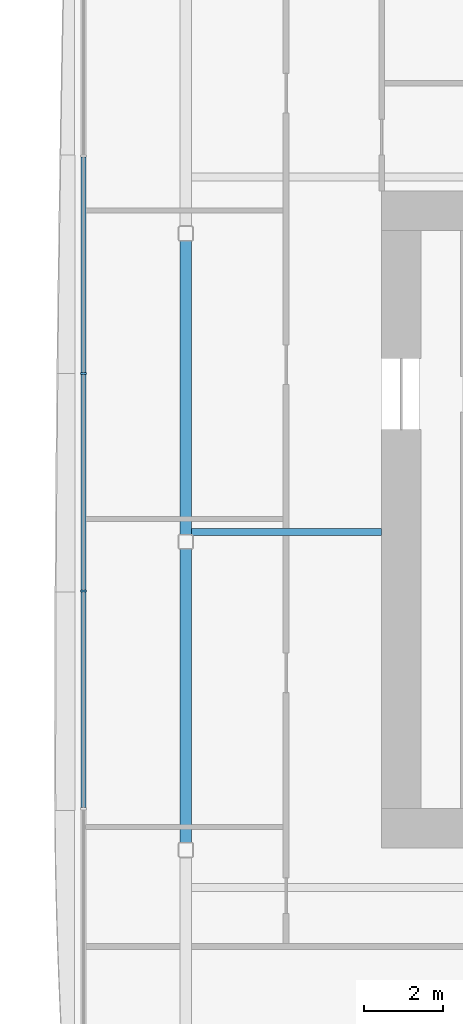
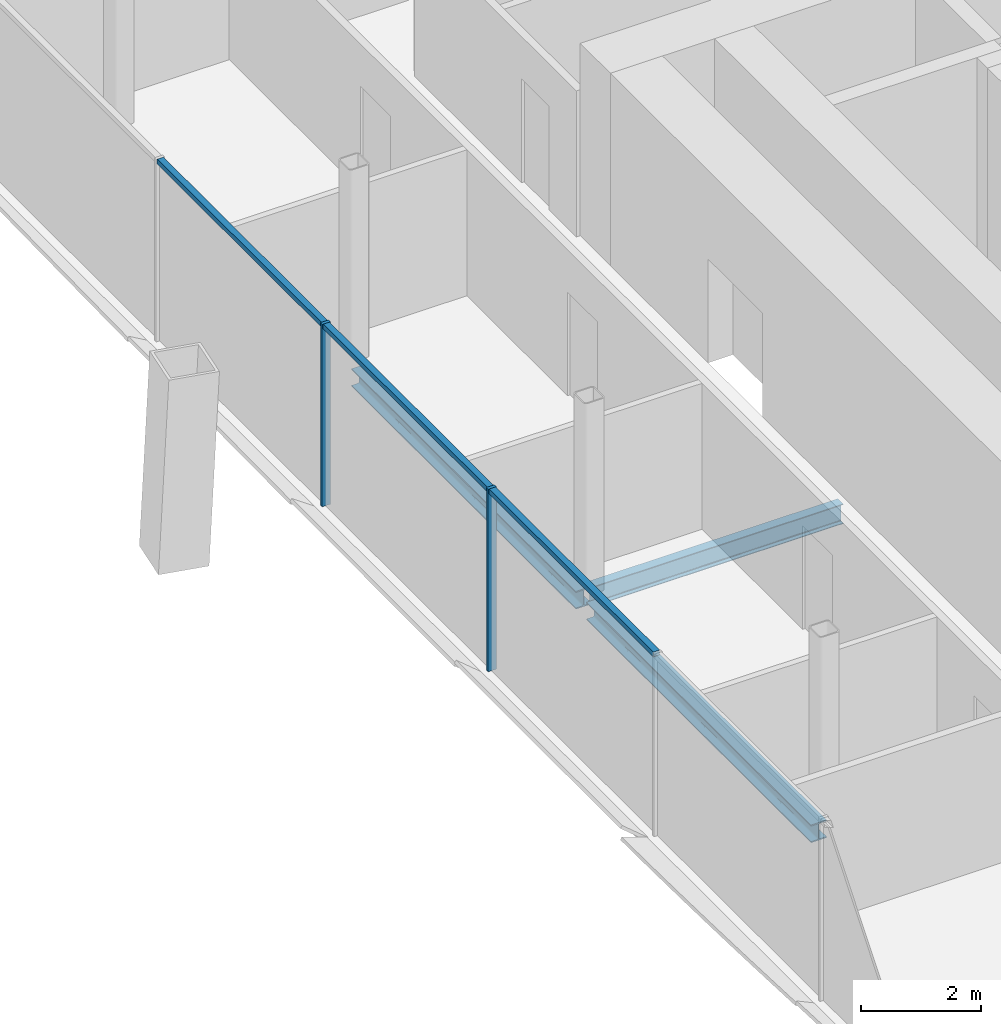
# One storey, part 5 of 20: 5 members, 3 beams, 1 element without a shape of its own.
"""IFC4 building model written with IfcOpenShell, lengths in metres."""

from ifc_helpers import new_model, si_unit, direction, frame, origin, origin_2d, place, context, subcontext, project, spatial, rectangle, i_section, extrude, material, material_profile, profile_set, type_object, element, aggregate, save


model = new_model("IFC4")

# Units and contexts
model_context = context("Model", 3, precision=1e-05, world=origin(), true_north=direction((0.0, 1.0)))
body_context = subcontext(model_context, "Body", "Model", "MODEL_VIEW")
ifc_project = project(units=[si_unit("LENGTHUNIT", "METRE"), si_unit("AREAUNIT", "SQUARE_METRE"), si_unit("VOLUMEUNIT", "CUBIC_METRE"), si_unit("PLANEANGLEUNIT", "RADIAN"), si_unit("MASSUNIT", "GRAM", prefix="KILO")], contexts=[model_context])

# Site, building, storey
site_placement = place(None, origin())
site = spatial("IfcSite", under=ifc_project, at=site_placement, CompositionType="ELEMENT")
building_placement = place(site_placement, origin())
building = spatial("IfcBuilding", under=site, at=building_placement, Name="Tskaro Facet Tower", CompositionType="ELEMENT")
storey_placement = place(building_placement, frame((0.0, 0.0, 66.0)))
storey = spatial("IfcBuildingStorey", under=building, at=storey_placement, Name="L15", CompositionType="ELEMENT", Elevation=66.0)

# Curtain wall, members
ifc_material_1 = material(Name="Bronze anodised aluminium 6063-T6", Category="aluminium")
curtain_wall_type = type_object("IfcCurtainWallType", Name="Bronze office curtain wall (FW1)", PredefinedType="NOTDEFINED", material=ifc_material_1)
curtain_wall_placement = place(storey_placement, origin())
curtain_wall = element("IfcCurtainWall", 1, at=curtain_wall_placement, inside=storey, type_object=curtain_wall_type, Name="FW1 west facet L15", PredefinedType="NOTDEFINED")
ifc_material_profile_1 = material_profile(ifc_material_1, rectangle(XDim=0.06005859375, YDim=0.159912109375, at=origin_2d()), Name="Mullion 60x160")
ifc_profile_set_1 = profile_set([ifc_material_profile_1], Name="Bronze anodised aluminium 6063-T6")
member_type_1 = type_object("IfcMemberType", Name="FW1 bronze mullion 60x160", PredefinedType="MULLION", material=ifc_profile_set_1)
member_1_placement = place(storey_placement, frame((-22.55908203125, -0.478515625, 0.0), z_axis=(0.0, 0.0, 1.0), x_axis=(0.0, -1.0, 0.0)))
member_1 = element("IfcMember", 2, at=member_1_placement, type_object=member_type_1, Name="FW1 west mullion 4", PredefinedType="MULLION", context=body_context, shape_type="SweptSolid", body=[
    extrude(rectangle(XDim=0.06005859375, YDim=0.159912109375, at=origin_2d()), origin(), (0.0, 0.0, 1.0), 3.699951171875),
])
member_2_placement = place(storey_placement, frame((-22.55908203125, -5.99169921875, 0.0), z_axis=(0.0, 0.0, 1.0), x_axis=(0.0, -1.0, 0.0)))
member_2 = element("IfcMember", 3, at=member_2_placement, type_object=member_type_1, Name="FW1 west mullion 5", PredefinedType="MULLION", context=body_context, shape_type="SweptSolid", body=[
    extrude(rectangle(XDim=0.06005859375, YDim=0.159912109375, at=origin_2d()), origin(), (0.0, 0.0, 1.0), 3.699951171875),
])
ifc_material_profile_2 = material_profile(ifc_material_1, rectangle(XDim=0.1201171875, YDim=0.10009765625, at=origin_2d()), Name="Transom 120x100")
ifc_profile_set_2 = profile_set([ifc_material_profile_2], Name="Bronze anodised aluminium 6063-T6")
member_type_2 = type_object("IfcMemberType", Name="FW1 bronze transom 120x100", PredefinedType="USERDEFINED", material=ifc_profile_set_2)
member_3_placement = place(storey_placement, frame((-22.55908203125, 5.004638671875, 3.64990234375), z_axis=(0.0, -1.0, 0.0), x_axis=(1.0, 0.0, 0.0)))
member_3 = element("IfcMember", 4, at=member_3_placement, type_object=member_type_2, Name="FW1 west transom 4.1", ObjectType="TRANSOM", PredefinedType="USERDEFINED", context=body_context, shape_type="SweptSolid", body=[
    extrude(rectangle(XDim=0.1201171875, YDim=0.10009765625, at=origin_2d()), origin(), (0.0, 0.0, 1.0), 5.453125),
])
member_4_placement = place(storey_placement, frame((-22.55908203125, -0.508544921875, 3.64990234375), z_axis=(0.0, -1.0, 0.0), x_axis=(1.0, 0.0, 0.0)))
member_4 = element("IfcMember", 5, at=member_4_placement, type_object=member_type_2, Name="FW1 west transom 5.1", ObjectType="TRANSOM", PredefinedType="USERDEFINED", context=body_context, shape_type="SweptSolid", body=[
    extrude(rectangle(XDim=0.1201171875, YDim=0.10009765625, at=origin_2d()), origin(), (0.0, 0.0, 1.0), 5.453125),
])
member_5_placement = place(storey_placement, frame((-22.55908203125, -6.021728515625, 3.64990234375), z_axis=(0.0, -1.0, 0.0), x_axis=(1.0, 0.0, 0.0)))
member_5 = element("IfcMember", 6, at=member_5_placement, type_object=member_type_2, Name="FW1 west transom 6.1", ObjectType="TRANSOM", PredefinedType="USERDEFINED", context=body_context, shape_type="SweptSolid", body=[
    extrude(rectangle(XDim=0.1201171875, YDim=0.10009765625, at=origin_2d()), origin(), (0.0, 0.0, 1.0), 5.453125),
])
aggregate(curtain_wall, [member_1, member_2, member_3, member_4, member_5])

# Beams
ifc_material_2 = material(Name="Steel S355J2", Category="steel")
ifc_material_profile_3 = material_profile(ifc_material_2, i_section(OverallWidth=0.300048828125, OverallDepth=0.360107421875, WebThickness=0.012451171875, FlangeThickness=0.0224609375, FilletRadius=0.027099609375, at=origin_2d()), Name="HE 360 B")
ifc_profile_set_3 = profile_set([ifc_material_profile_3], Name="Steel S355J2")
beam_type_1 = type_object("IfcBeamType", Name="HE 360 B ring beam", PredefinedType="BEAM", material=ifc_profile_set_3)
beam_1_placement = place(storey_placement, frame((-19.965087890625, 2.887939453125, -0.320068359375), z_axis=(0.0, -1.0, 0.0), x_axis=(1.0, 0.0, 0.0)))
element("IfcBeam", 7, at=beam_1_placement, inside=storey, type_object=beam_type_1, Name="HE 360 B EB21-2", PredefinedType="BEAM", context=body_context, shape_type="SweptSolid", body=[
    extrude(i_section(OverallWidth=0.300048828125, OverallDepth=0.360107421875, WebThickness=0.012451171875, FlangeThickness=0.0224609375, FilletRadius=0.027099609375, at=origin_2d()), origin(), (0.0, 0.0, 1.0), 7.449951171875),
])
beam_2_placement = place(storey_placement, frame((-19.965087890625, -4.922119140625, -0.320068359375), z_axis=(0.0, -1.0, 0.0), x_axis=(1.0, 0.0, 0.0)))
element("IfcBeam", 8, at=beam_2_placement, inside=storey, type_object=beam_type_1, Name="HE 360 B EB22-2", PredefinedType="BEAM", context=body_context, shape_type="SweptSolid", body=[
    extrude(i_section(OverallWidth=0.300048828125, OverallDepth=0.360107421875, WebThickness=0.012451171875, FlangeThickness=0.0224609375, FilletRadius=0.027099609375, at=origin_2d()), origin(), (0.0, 0.0, 1.0), 7.450927734375),
])
ifc_material_profile_4 = material_profile(ifc_material_2, i_section(OverallWidth=0.179931640625, OverallDepth=0.39990234375, WebThickness=0.008544921875, FlangeThickness=0.013427734375, FilletRadius=0.02099609375, at=origin_2d()), Name="IPE 400")
ifc_profile_set_4 = profile_set([ifc_material_profile_4], Name="Steel S355J2")
beam_type_2 = type_object("IfcBeamType", Name="IPE 400 secondary beam", PredefinedType="BEAM", material=ifc_profile_set_4)
beam_3_placement = place(storey_placement, frame((-19.81494140625, -4.5, -0.340087890625), z_axis=(1.0, 0.0, 0.0), x_axis=(0.0, 1.0, 0.0)))
element("IfcBeam", 9, at=beam_3_placement, inside=storey, type_object=beam_type_2, Name="IPE 400 SB3a-1-2", PredefinedType="BEAM", context=body_context, shape_type="SweptSolid", body=[
    extrude(i_section(OverallWidth=0.179931640625, OverallDepth=0.39990234375, WebThickness=0.008544921875, FlangeThickness=0.013427734375, FilletRadius=0.02099609375, at=origin_2d()), origin(), (0.0, 0.0, 1.0), 4.81494140625),
])

save(model, "model.ifc")
